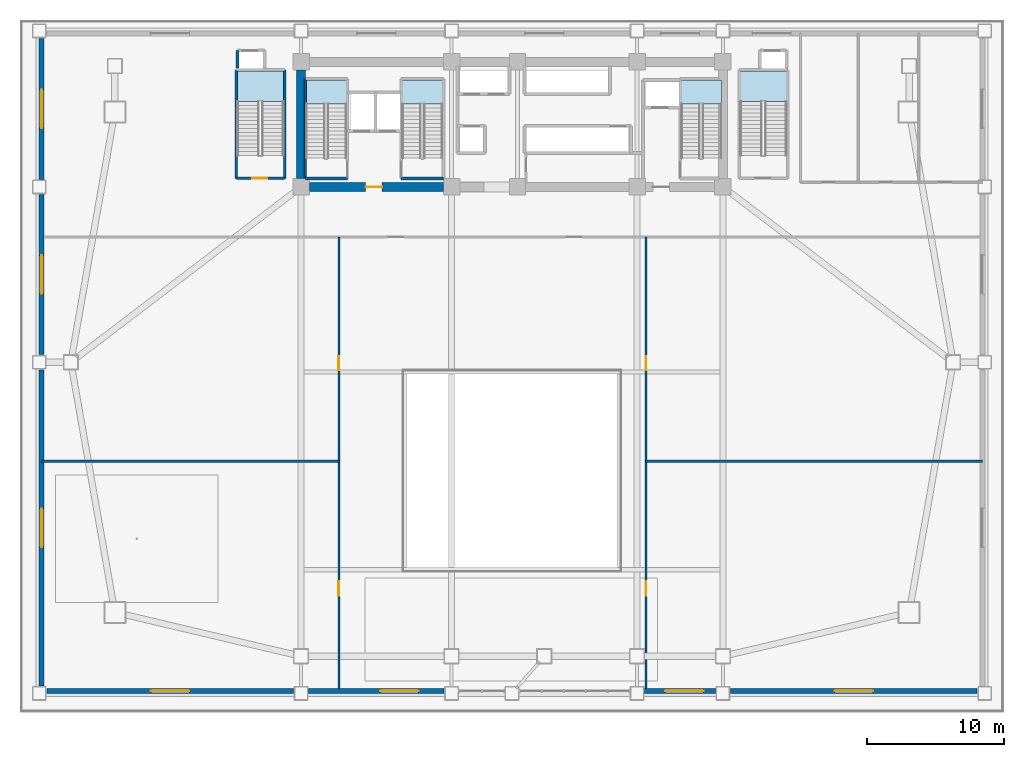
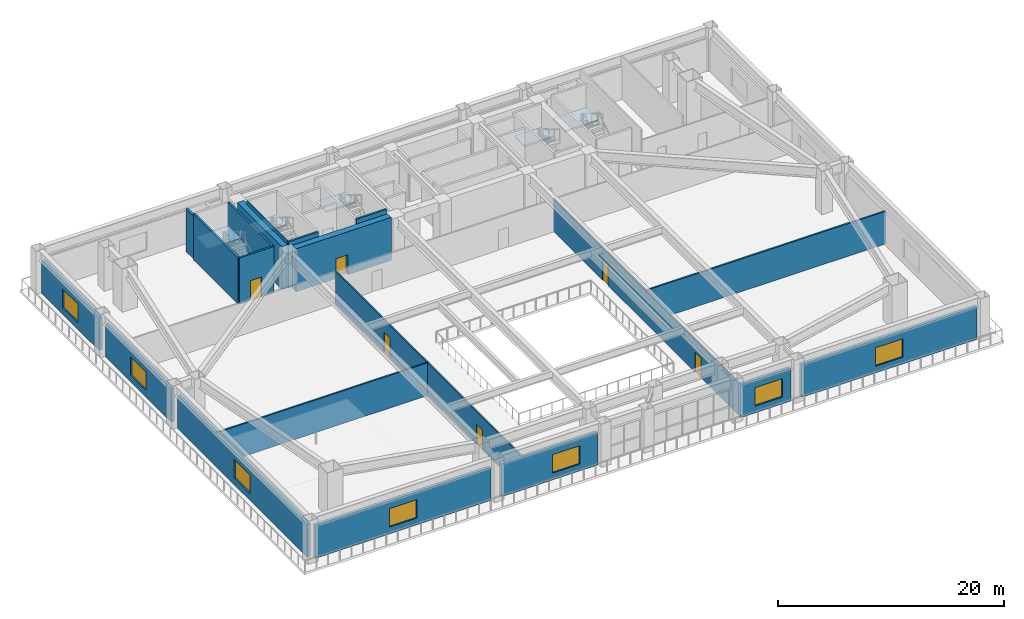
# One storey, part 6 of 14: 20 walls, 7 windows, 6 doors, 5 slabs, 13 openings, 5 elements without a shape of their own.
"""IFC4 building model written with IfcOpenShell, lengths in metres."""

from ifc_helpers import new_model, si_unit, direction, frame, frame_2d, origin, place, context, subcontext, project, spatial, polyline, rectangle, outline, extrude, source, transform, mapped, material, layer, layer_set, type_object, element, fill, aggregate, save


model = new_model("IFC4")

# Units and contexts
model_context = context("Model", 3, precision=1e-05, world=origin(), true_north=direction((0.0, 1.0)))
body_context = subcontext(model_context, "Body", "Model", "MODEL_VIEW")
ifc_project = project(units=[si_unit("LENGTHUNIT", "METRE"), si_unit("AREAUNIT", "SQUARE_METRE"), si_unit("VOLUMEUNIT", "CUBIC_METRE"), si_unit("PLANEANGLEUNIT", "RADIAN"), si_unit("MASSUNIT", "GRAM", prefix="KILO")], contexts=[model_context])

# Site, building, storey
site_placement = place(None, origin())
site = spatial("IfcSite", under=ifc_project, at=site_placement, CompositionType="ELEMENT")
building_placement = place(site_placement, origin())
building = spatial("IfcBuilding", under=site, at=building_placement, Name="Giltprow Tower", CompositionType="ELEMENT")
storey_placement = place(building_placement, frame((0.0, 0.0, 15.199951171875)))
storey = spatial("IfcBuildingStorey", under=building, at=storey_placement, Name="L04", CompositionType="ELEMENT", Elevation=15.199951171875)

# Stair, slab
ifc_material_1 = material(Name="Concrete C40", Category="concrete")
stair_type_1 = type_object("IfcStairType", Name="STR-ST-1", PredefinedType="HALF_TURN_STAIR", material=ifc_material_1)
stair_1_placement = place(storey_placement, origin())
stair_1 = element("IfcStair", 1, at=stair_1_placement, inside=storey, type_object=stair_type_1, Name="L04 Core Exit Stair ST-1", PredefinedType="HALF_TURN_STAIR")
ifc_layer_1 = layer(ifc_material_1, 0.179931640625, Name="Concrete C40")
ifc_layer_set_1 = layer_set([ifc_layer_1], Name="Concrete C40")
slab_type_1 = type_object("IfcSlabType", Name="SLD-ST-1", PredefinedType="LANDING", material=ifc_layer_set_1)
slab_1_placement = place(storey_placement, frame((0.0, 0.0, 2.320068359375)))
slab_1 = element("IfcSlab", 2, at=slab_1_placement, type_object=slab_type_1, Name="ST-1 landing 1", PredefinedType="LANDING", context=body_context, shape_type="SweptSolid", body=[
    extrude(outline(polyline([(23.159912109375, 43.469970703125), (23.159912109375, 45.25), (20.199951171875, 45.25), (20.199951171875, 43.469970703125), (23.159912109375, 43.469970703125)])), origin(), (0.0, 0.0, 1.0), 0.179931640625),
])
aggregate(stair_1, [slab_1])

stair_type_2 = type_object("IfcStairType", Name="STR-ST-2", PredefinedType="HALF_TURN_STAIR", material=ifc_material_1)
stair_2_placement = place(storey_placement, origin())
stair_2 = element("IfcStair", 3, at=stair_2_placement, inside=storey, type_object=stair_type_2, Name="L04 Core Exit Stair ST-2", PredefinedType="HALF_TURN_STAIR")
ifc_layer_2 = layer(ifc_material_1, 0.18798828125, Name="Concrete C40")
ifc_layer_set_2 = layer_set([ifc_layer_2], Name="Concrete C40")
slab_type_2 = type_object("IfcSlabType", Name="SLD-ST-2", PredefinedType="LANDING", material=ifc_layer_set_2)
slab_2_placement = place(storey_placement, frame((0.0, 0.0, 2.31201171875)))
slab_2 = element("IfcSlab", 4, at=slab_2_placement, type_object=slab_type_2, Name="ST-2 landing 1", PredefinedType="LANDING", context=body_context, shape_type="SweptSolid", body=[
    extrude(outline(polyline([(30.159912109375, 43.469970703125), (30.159912109375, 45.25), (27.199951171875, 45.25), (27.199951171875, 43.469970703125), (30.159912109375, 43.469970703125)])), origin(), (0.0, 0.0, 1.0), 0.18798828125),
])
aggregate(stair_2, [slab_2])

stair_type_3 = type_object("IfcStairType", Name="STR-ST-3", PredefinedType="HALF_TURN_STAIR", material=ifc_material_1)
stair_3_placement = place(storey_placement, origin())
stair_3 = element("IfcStair", 5, at=stair_3_placement, inside=storey, type_object=stair_type_3, Name="L04 Core Exit Stair ST-3", PredefinedType="HALF_TURN_STAIR")
ifc_layer_3 = layer(ifc_material_1, 0.196044921875, Name="Concrete C40")
ifc_layer_set_3 = layer_set([ifc_layer_3], Name="Concrete C40")
slab_type_3 = type_object("IfcSlabType", Name="SLD-ST-3", PredefinedType="LANDING", material=ifc_layer_set_3)
slab_3_placement = place(storey_placement, frame((0.0, 0.0, 2.303955078125)))
slab_3 = element("IfcSlab", 6, at=slab_3_placement, type_object=slab_type_3, Name="ST-3 landing 1", PredefinedType="LANDING", context=body_context, shape_type="SweptSolid", body=[
    extrude(outline(polyline([(50.4599609375, 43.469970703125), (50.4599609375, 45.25), (47.5, 45.25), (47.5, 43.469970703125), (50.4599609375, 43.469970703125)])), origin(), (0.0, 0.0, 1.0), 0.196044921875),
])
aggregate(stair_3, [slab_3])

stair_type_4 = type_object("IfcStairType", Name="STR-ST-P1", PredefinedType="HALF_TURN_STAIR", material=ifc_material_1)
stair_4_placement = place(storey_placement, origin())
stair_4 = element("IfcStair", 7, at=stair_4_placement, inside=storey, type_object=stair_type_4, Name="L04 Podium Exit Stair ST-P1", PredefinedType="HALF_TURN_STAIR")
ifc_layer_4 = layer(ifc_material_1, 0.2041015625, Name="Concrete C40")
ifc_layer_set_4 = layer_set([ifc_layer_4], Name="Concrete C40")
slab_type_4 = type_object("IfcSlabType", Name="SLD-ST-P1", PredefinedType="LANDING", material=ifc_layer_set_4)
slab_4_placement = place(storey_placement, frame((0.0, 0.0, 2.296142578125)))
slab_4 = element("IfcSlab", 8, at=slab_4_placement, type_object=slab_type_4, Name="ST-P1 landing 1", PredefinedType="LANDING", context=body_context, shape_type="SweptSolid", body=[
    extrude(outline(polyline([(18.60009765625, 43.669921875), (18.60009765625, 45.89990234375), (15.199951171875, 45.89990234375), (15.199951171875, 43.669921875), (18.60009765625, 43.669921875)])), origin(), (0.0, 0.0, 1.0), 0.203857421875),
])
aggregate(stair_4, [slab_4])

stair_type_5 = type_object("IfcStairType", Name="STR-ST-P2", PredefinedType="HALF_TURN_STAIR", material=ifc_material_1)
stair_5_placement = place(storey_placement, origin())
stair_5 = element("IfcStair", 9, at=stair_5_placement, inside=storey, type_object=stair_type_5, Name="L04 Podium Exit Stair ST-P2", PredefinedType="HALF_TURN_STAIR")
ifc_layer_5 = layer(ifc_material_1, 0.2119140625, Name="Concrete C40")
ifc_layer_set_5 = layer_set([ifc_layer_5], Name="Concrete C40")
slab_type_5 = type_object("IfcSlabType", Name="SLD-ST-P2", PredefinedType="LANDING", material=ifc_layer_set_5)
slab_5_placement = place(storey_placement, frame((0.0, 0.0, 2.2880859375)))
slab_5 = element("IfcSlab", 10, at=slab_5_placement, type_object=slab_type_5, Name="ST-P2 landing 1", PredefinedType="LANDING", context=body_context, shape_type="SweptSolid", body=[
    extrude(outline(polyline([(55.199951171875, 43.669921875), (55.199951171875, 45.89990234375), (51.800048828125, 45.89990234375), (51.800048828125, 43.669921875), (55.199951171875, 43.669921875)])), origin(), (0.0, 0.0, 1.0), 0.2119140625),
])
aggregate(stair_5, [slab_5])

# Wall, opening, window
ifc_material_2 = material(Name="Precast concrete C40", Category="concrete")
ifc_layer_6 = layer(ifc_material_2, 0.360107421875, Name="Precast concrete C40")
ifc_layer_set_6 = layer_set([ifc_layer_6], Name="Precast concrete C40")
wall_type_1 = type_object("IfcWallType", Name="EW-POD-STONE-360", PredefinedType="SOLIDWALL", material=ifc_layer_set_6)
wall_1_placement = place(storey_placement, frame((1.35009765625, 0.780029296875, 0.0), z_axis=(0.0, 0.0, 1.0), x_axis=(1.0, 0.0, 0.0)))
wall_1 = element("IfcWall", 11, at=wall_1_placement, inside=storey, type_object=wall_type_1, Name="L04 South Podium Masonry Wall 1", PredefinedType="SOLIDWALL", context=body_context, shape_type="SweptSolid", body=[
    extrude(rectangle(XDim=17.949951171875, YDim=0.360107421875, at=frame_2d((8.97509765625, 0.0))), origin(), (0.0, 0.0, 1.0), 3.530029296875),
])
opening_1_placement = place(wall_1_placement, frame((7.574951171875, 0.0, 0.719970703125)))
opening_1 = element("IfcOpeningElement", 12, at=opening_1_placement, cuts=wall_1, Name="Opening WN31", PredefinedType="OPENING", context=body_context, shape_type="SweptSolid", body=[
    extrude(rectangle(XDim=2.800048828125, YDim=2.0, at=frame_2d((1.39990234375, 1.0))), frame((0.0, 0.18994140625, 0.0), z_axis=(0.0, -1.0, 0.0), x_axis=(1.0, 0.0, 0.0)), (0.0, 0.0, 1.0), 0.380126953125),
])
ifc_material_3 = material(Name="Insulated glass", Category="glass")
window_type = type_object("IfcWindowType", Name="WN-POD-2800x2000", PartitioningType="SINGLE_PANEL", PredefinedType="WINDOW", material=ifc_material_3)
shared_shape_1 = source(origin(), body_context, "Body", "SweptSolid", [
    extrude(rectangle(XDim=2.800048828125, YDim=2.0, at=frame_2d((1.39990234375, 1.0))), frame((0.0, 0.030029296875, 0.0), z_axis=(0.0, -1.0, 0.0), x_axis=(1.0, 0.0, 0.0)), (0.0, 0.0, 1.0), 0.06005859375),
])
window_1_placement = place(opening_1_placement, origin())
window_1 = element("IfcWindow", 13, at=window_1_placement, inside=storey, type_object=window_type, Name="L04 Podium South Window 1", OverallHeight=2.0, OverallWidth=2.800048828125, PartitioningType="SINGLE_PANEL", PredefinedType="WINDOW", context=body_context, shape_type="MappedRepresentation", body=[
    mapped(shared_shape_1, transform((0.0, 0.0, 0.0), x_axis=(1.0, 0.0, 0.0), y_axis=(0.0, 1.0, 0.0), z_axis=(0.0, 0.0, 1.0), scale=1.0)),
])
fill(opening_1, window_1)

wall_2_placement = place(storey_placement, frame((20.39990234375, 0.780029296875, 0.0), z_axis=(0.0, 0.0, 1.0), x_axis=(1.0, 0.0, 0.0)))
wall_2 = element("IfcWall", 14, at=wall_2_placement, inside=storey, type_object=wall_type_1, Name="L04 South Podium Masonry Wall 2", PredefinedType="SOLIDWALL", context=body_context, shape_type="SweptSolid", body=[
    extrude(rectangle(XDim=9.85009765625, YDim=0.360107421875, at=frame_2d((4.925048828125, 0.0))), origin(), (0.0, 0.0, 1.0), 3.530029296875),
])
opening_2_placement = place(wall_2_placement, frame((5.199951171875, 0.0, 0.719970703125)))
opening_2 = element("IfcOpeningElement", 15, at=opening_2_placement, cuts=wall_2, Name="Opening WN31", PredefinedType="OPENING", context=body_context, shape_type="SweptSolid", body=[
    extrude(rectangle(XDim=2.800048828125, YDim=2.0, at=frame_2d((1.39990234375, 1.0))), frame((0.0, 0.18994140625, 0.0), z_axis=(0.0, -1.0, 0.0), x_axis=(1.0, 0.0, 0.0)), (0.0, 0.0, 1.0), 0.380126953125),
])
window_2_placement = place(opening_2_placement, origin())
window_2 = element("IfcWindow", 16, at=window_2_placement, inside=storey, type_object=window_type, Name="L04 Podium South Window 2", OverallHeight=2.0, OverallWidth=2.800048828125, PartitioningType="SINGLE_PANEL", PredefinedType="WINDOW", context=body_context, shape_type="MappedRepresentation", body=[
    mapped(shared_shape_1, transform((0.0, 0.0, 0.0), x_axis=(1.0, 0.0, 0.0), y_axis=(0.0, 1.0, 0.0), z_axis=(0.0, 0.0, 1.0), scale=1.0)),
])
fill(opening_2, window_2)

wall_3_placement = place(storey_placement, frame((44.85009765625, 0.780029296875, 0.0), z_axis=(0.0, 0.0, 1.0), x_axis=(1.0, 0.0, 0.0)))
wall_3 = element("IfcWall", 17, at=wall_3_placement, inside=storey, type_object=wall_type_1, Name="L04 South Podium Masonry Wall 5", PredefinedType="SOLIDWALL", context=body_context, shape_type="SweptSolid", body=[
    extrude(rectangle(XDim=5.14990234375, YDim=0.360107421875, at=frame_2d((2.574951171875, 0.0))), origin(), (0.0, 0.0, 1.0), 3.530029296875),
])
opening_3_placement = place(wall_3_placement, frame((1.5, 0.0, 0.719970703125)))
opening_3 = element("IfcOpeningElement", 18, at=opening_3_placement, cuts=wall_3, Name="Opening WN31", PredefinedType="OPENING", context=body_context, shape_type="SweptSolid", body=[
    extrude(rectangle(XDim=2.800048828125, YDim=2.0, at=frame_2d((1.39990234375, 1.0))), frame((0.0, 0.18994140625, 0.0), z_axis=(0.0, -1.0, 0.0), x_axis=(1.0, 0.0, 0.0)), (0.0, 0.0, 1.0), 0.380126953125),
])
window_3_placement = place(opening_3_placement, origin())
window_3 = element("IfcWindow", 19, at=window_3_placement, inside=storey, type_object=window_type, Name="L04 Podium South Window 5", OverallHeight=2.0, OverallWidth=2.800048828125, PartitioningType="SINGLE_PANEL", PredefinedType="WINDOW", context=body_context, shape_type="MappedRepresentation", body=[
    mapped(shared_shape_1, transform((0.0, 0.0, 0.0), x_axis=(1.0, 0.0, 0.0), y_axis=(0.0, 1.0, 0.0), z_axis=(0.0, 0.0, 1.0), scale=1.0)),
])
fill(opening_3, window_3)

wall_4_placement = place(storey_placement, frame((51.10009765625, 0.780029296875, 0.0), z_axis=(0.0, 0.0, 1.0), x_axis=(1.0, 0.0, 0.0)))
wall_4 = element("IfcWall", 20, at=wall_4_placement, inside=storey, type_object=wall_type_1, Name="L04 South Podium Masonry Wall 6", PredefinedType="SOLIDWALL", context=body_context, shape_type="SweptSolid", body=[
    extrude(rectangle(XDim=17.949951171875, YDim=0.360107421875, at=frame_2d((8.97509765625, 0.0))), origin(), (0.0, 0.0, 1.0), 3.530029296875),
])
opening_4_placement = place(wall_4_placement, frame((7.574951171875, 0.0, 0.719970703125)))
opening_4 = element("IfcOpeningElement", 21, at=opening_4_placement, cuts=wall_4, Name="Opening WN31", PredefinedType="OPENING", context=body_context, shape_type="SweptSolid", body=[
    extrude(rectangle(XDim=2.800048828125, YDim=2.0, at=frame_2d((1.39990234375, 1.0))), frame((0.0, 0.18994140625, 0.0), z_axis=(0.0, -1.0, 0.0), x_axis=(1.0, 0.0, 0.0)), (0.0, 0.0, 1.0), 0.380126953125),
])
window_4_placement = place(opening_4_placement, origin())
window_4 = element("IfcWindow", 22, at=window_4_placement, inside=storey, type_object=window_type, Name="L04 Podium South Window 6", OverallHeight=2.0, OverallWidth=2.800048828125, PartitioningType="SINGLE_PANEL", PredefinedType="WINDOW", context=body_context, shape_type="MappedRepresentation", body=[
    mapped(shared_shape_1, transform((0.0, 0.0, 0.0), x_axis=(1.0, 0.0, 0.0), y_axis=(0.0, 1.0, 0.0), z_axis=(0.0, 0.0, 1.0), scale=1.0)),
])
fill(opening_4, window_4)

wall_5_placement = place(storey_placement, frame((0.97998046875, 1.14990234375, 0.0), z_axis=(0.0, 0.0, 1.0), x_axis=(0.0, 1.0, 0.0)))
wall_5 = element("IfcWall", 23, at=wall_5_placement, inside=storey, type_object=wall_type_1, Name="L04 W Podium Masonry Wall 1", PredefinedType="SOLIDWALL", context=body_context, shape_type="SweptSolid", body=[
    extrude(rectangle(XDim=23.0, YDim=0.360107421875, at=frame_2d((11.5, 0.0))), origin(), (0.0, 0.0, 1.0), 3.530029296875),
])
opening_5_placement = place(wall_5_placement, frame((10.10009765625, 0.0, 0.719970703125)))
opening_5 = element("IfcOpeningElement", 24, at=opening_5_placement, cuts=wall_5, Name="Opening WN31", PredefinedType="OPENING", context=body_context, shape_type="SweptSolid", body=[
    extrude(rectangle(XDim=2.800048828125, YDim=2.0, at=frame_2d((1.39990234375, 1.0))), frame((0.0, 0.18994140625, 0.0), z_axis=(0.0, -1.0, 0.0), x_axis=(1.0, 0.0, 0.0)), (0.0, 0.0, 1.0), 0.380126953125),
])
window_5_placement = place(opening_5_placement, origin())
window_5 = element("IfcWindow", 25, at=window_5_placement, inside=storey, type_object=window_type, Name="L04 Podium W Window 1", OverallHeight=2.0, OverallWidth=2.800048828125, PartitioningType="SINGLE_PANEL", PredefinedType="WINDOW", context=body_context, shape_type="MappedRepresentation", body=[
    mapped(shared_shape_1, transform((0.0, 0.0, 0.0), x_axis=(1.0, 0.0, 0.0), y_axis=(0.0, 1.0, 0.0), z_axis=(0.0, 0.0, 1.0), scale=1.0)),
])
fill(opening_5, window_5)

wall_6_placement = place(storey_placement, frame((0.97998046875, 25.25, 0.0), z_axis=(0.0, 0.0, 1.0), x_axis=(0.0, 1.0, 0.0)))
wall_6 = element("IfcWall", 26, at=wall_6_placement, inside=storey, type_object=wall_type_1, Name="L04 W Podium Masonry Wall 2", PredefinedType="SOLIDWALL", context=body_context, shape_type="SweptSolid", body=[
    extrude(rectangle(XDim=11.64990234375, YDim=0.360107421875, at=frame_2d((5.824951171875, 0.0))), origin(), (0.0, 0.0, 1.0), 3.530029296875),
])
opening_6_placement = place(wall_6_placement, frame((4.425048828125, 0.0, 0.719970703125)))
opening_6 = element("IfcOpeningElement", 27, at=opening_6_placement, cuts=wall_6, Name="Opening WN31", PredefinedType="OPENING", context=body_context, shape_type="SweptSolid", body=[
    extrude(rectangle(XDim=2.800048828125, YDim=2.0, at=frame_2d((1.39990234375, 1.0))), frame((0.0, 0.18994140625, 0.0), z_axis=(0.0, -1.0, 0.0), x_axis=(1.0, 0.0, 0.0)), (0.0, 0.0, 1.0), 0.380126953125),
])
window_6_placement = place(opening_6_placement, origin())
window_6 = element("IfcWindow", 28, at=window_6_placement, inside=storey, type_object=window_type, Name="L04 Podium W Window 2", OverallHeight=2.0, OverallWidth=2.800048828125, PartitioningType="SINGLE_PANEL", PredefinedType="WINDOW", context=body_context, shape_type="MappedRepresentation", body=[
    mapped(shared_shape_1, transform((0.0, 0.0, 0.0), x_axis=(1.0, 0.0, 0.0), y_axis=(0.0, 1.0, 0.0), z_axis=(0.0, 0.0, 1.0), scale=1.0)),
])
fill(opening_6, window_6)

wall_7_placement = place(storey_placement, frame((0.97998046875, 38.0, 0.0), z_axis=(0.0, 0.0, 1.0), x_axis=(0.0, 1.0, 0.0)))
wall_7 = element("IfcWall", 29, at=wall_7_placement, inside=storey, type_object=wall_type_1, Name="L04 W Podium Masonry Wall 3", PredefinedType="SOLIDWALL", context=body_context, shape_type="SweptSolid", body=[
    extrude(rectangle(XDim=10.25, YDim=0.360107421875, at=frame_2d((5.125, 0.0))), origin(), (0.0, 0.0, 1.0), 3.530029296875),
])
opening_7_placement = place(wall_7_placement, frame((3.72509765625, 0.0, 0.719970703125)))
opening_7 = element("IfcOpeningElement", 30, at=opening_7_placement, cuts=wall_7, Name="Opening WN31", PredefinedType="OPENING", context=body_context, shape_type="SweptSolid", body=[
    extrude(rectangle(XDim=2.800048828125, YDim=2.0, at=frame_2d((1.39990234375, 1.0))), frame((0.0, 0.18994140625, 0.0), z_axis=(0.0, -1.0, 0.0), x_axis=(1.0, 0.0, 0.0)), (0.0, 0.0, 1.0), 0.380126953125),
])
window_7_placement = place(opening_7_placement, origin())
window_7 = element("IfcWindow", 31, at=window_7_placement, inside=storey, type_object=window_type, Name="L04 Podium W Window 3", OverallHeight=2.0, OverallWidth=2.800048828125, PartitioningType="SINGLE_PANEL", PredefinedType="WINDOW", context=body_context, shape_type="MappedRepresentation", body=[
    mapped(shared_shape_1, transform((0.0, 0.0, 0.0), x_axis=(1.0, 0.0, 0.0), y_axis=(0.0, 1.0, 0.0), z_axis=(0.0, 0.0, 1.0), scale=1.0)),
])
fill(opening_7, window_7)

# Wall, openings, doors
ifc_material_4 = material(Name="Gypsum stud partition", Category="gypsum")
ifc_layer_7 = layer(ifc_material_4, 0.14990234375, Name="Gypsum stud partition")
ifc_layer_set_7 = layer_set([ifc_layer_7], Name="Gypsum stud partition")
wall_type_2 = type_object("IfcWallType", Name="IW-CORR-150", PredefinedType="PARTITIONING", material=ifc_layer_set_7)
wall_8_placement = place(storey_placement, frame((22.60009765625, 0.780029296875, 0.0), z_axis=(0.0, 0.0, 1.0), x_axis=(0.0, 1.0, 0.0)))
wall_8 = element("IfcWall", 32, at=wall_8_placement, inside=storey, type_object=wall_type_2, Name="L04 West Concourse Demising Wall", PredefinedType="PARTITIONING", context=body_context, shape_type="SweptSolid", body=[
    extrude(rectangle(XDim=33.02001953125, YDim=0.14990234375, at=frame_2d((16.510009765625, 0.0))), origin(), (0.0, 0.0, 1.0), 3.53515625),
])
opening_8_placement = place(wall_8_placement, frame((6.919921875, 0.0, 0.0)))
opening_8 = element("IfcOpeningElement", 33, at=opening_8_placement, cuts=wall_8, Name="Opening ID31", PredefinedType="OPENING", context=body_context, shape_type="SweptSolid", body=[
    extrude(rectangle(XDim=1.050048828125, YDim=2.14990234375, at=frame_2d((0.52490234375, 1.074951171875))), frame((0.0, 0.0849609375, 0.0), z_axis=(0.0, -1.0, 0.0), x_axis=(1.0, 0.0, 0.0)), (0.0, 0.0, 1.0), 0.169921875),
])
opening_9_placement = place(wall_8_placement, frame((23.320068359375, 0.0, 0.0)))
opening_9 = element("IfcOpeningElement", 34, at=opening_9_placement, cuts=wall_8, Name="Opening ID31", PredefinedType="OPENING", context=body_context, shape_type="SweptSolid", body=[
    extrude(rectangle(XDim=1.050048828125, YDim=2.14990234375, at=frame_2d((0.52490234375, 1.074951171875))), frame((0.0, 0.0849609375, 0.0), z_axis=(0.0, -1.0, 0.0), x_axis=(1.0, 0.0, 0.0)), (0.0, 0.0, 1.0), 0.169921875),
])
ifc_material_5 = material(Name="Engineered timber", Category="wood")
door_type_1 = type_object("IfcDoorType", Name="DR-SUITE-1050", OperationType="SINGLE_SWING_LEFT", PredefinedType="DOOR", material=ifc_material_5)
shared_shape_2 = source(origin(), body_context, "Body", "SweptSolid", [
    extrude(rectangle(XDim=1.050048828125, YDim=2.14990234375, at=frame_2d((0.52490234375, 1.074951171875))), frame((0.0, 0.02490234375, 0.0), z_axis=(0.0, -1.0, 0.0), x_axis=(1.0, 0.0, 0.0)), (0.0, 0.0, 1.0), 0.050048828125),
])
door_1_placement = place(opening_8_placement, origin())
door_1 = element("IfcDoor", 35, at=door_1_placement, inside=storey, type_object=door_type_1, Name="L04 Grand Harbourfront Banquet Ballroom Door", OperationType="SINGLE_SWING_RIGHT", OverallHeight=2.14990234375, OverallWidth=1.050048828125, PredefinedType="DOOR", context=body_context, shape_type="MappedRepresentation", body=[
    mapped(shared_shape_2, transform((0.0, 0.0, 0.0), x_axis=(1.0, 0.0, 0.0), y_axis=(0.0, 1.0, 0.0), z_axis=(0.0, 0.0, 1.0), scale=1.0)),
])
fill(opening_8, door_1)
door_2_placement = place(opening_9_placement, origin())
door_2 = element("IfcDoor", 36, at=door_2_placement, inside=storey, type_object=door_type_1, Name="L04 Pre-Function VIP Reception Salon Door", OperationType="SINGLE_SWING_LEFT", OverallHeight=2.14990234375, OverallWidth=1.050048828125, PredefinedType="DOOR", context=body_context, shape_type="MappedRepresentation", body=[
    mapped(shared_shape_2, transform((0.0, 0.0, 0.0), x_axis=(1.0, 0.0, 0.0), y_axis=(0.0, 1.0, 0.0), z_axis=(0.0, 0.0, 1.0), scale=1.0)),
])
fill(opening_9, door_2)

wall_9_placement = place(storey_placement, frame((44.949951171875, 0.780029296875, 0.0), z_axis=(0.0, 0.0, 1.0), x_axis=(0.0, 1.0, 0.0)))
wall_9 = element("IfcWall", 37, at=wall_9_placement, inside=storey, type_object=wall_type_2, Name="L04 East Concourse Demising Wall", PredefinedType="PARTITIONING", context=body_context, shape_type="SweptSolid", body=[
    extrude(rectangle(XDim=33.02001953125, YDim=0.14990234375, at=frame_2d((16.510009765625, 0.0))), origin(), (0.0, 0.0, 1.0), 3.53515625),
])
opening_10_placement = place(wall_9_placement, frame((6.919921875, 0.0, 0.0)))
opening_10 = element("IfcOpeningElement", 38, at=opening_10_placement, cuts=wall_9, Name="Opening ID31", PredefinedType="OPENING", context=body_context, shape_type="SweptSolid", body=[
    extrude(rectangle(XDim=1.050048828125, YDim=2.14990234375, at=frame_2d((0.52490234375, 1.074951171875))), frame((0.0, 0.0849609375, 0.0), z_axis=(0.0, -1.0, 0.0), x_axis=(1.0, 0.0, 0.0)), (0.0, 0.0, 1.0), 0.169921875),
])
opening_11_placement = place(wall_9_placement, frame((23.320068359375, 0.0, 0.0)))
opening_11 = element("IfcOpeningElement", 39, at=opening_11_placement, cuts=wall_9, Name="Opening ID31", PredefinedType="OPENING", context=body_context, shape_type="SweptSolid", body=[
    extrude(rectangle(XDim=1.050048828125, YDim=2.14990234375, at=frame_2d((0.52490234375, 1.074951171875))), frame((0.0, 0.0849609375, 0.0), z_axis=(0.0, -1.0, 0.0), x_axis=(1.0, 0.0, 0.0)), (0.0, 0.0, 1.0), 0.169921875),
])
door_3_placement = place(opening_10_placement, origin())
door_3 = element("IfcDoor", 40, at=door_3_placement, inside=storey, type_object=door_type_1, Name="L04 Waterfront Wellness Spa and Fitness Club Door", OperationType="SINGLE_SWING_RIGHT", OverallHeight=2.14990234375, OverallWidth=1.050048828125, PredefinedType="DOOR", context=body_context, shape_type="MappedRepresentation", body=[
    mapped(shared_shape_2, transform((0.0, 0.0, 0.0), x_axis=(1.0, 0.0, 0.0), y_axis=(0.0, 1.0, 0.0), z_axis=(0.0, 0.0, 1.0), scale=1.0)),
])
fill(opening_10, door_3)
door_4_placement = place(opening_11_placement, origin())
door_4 = element("IfcDoor", 41, at=door_4_placement, inside=storey, type_object=door_type_1, Name="L04 Indoor Lap Pool and Changing Pavilion Door", OperationType="SINGLE_SWING_LEFT", OverallHeight=2.14990234375, OverallWidth=1.050048828125, PredefinedType="DOOR", context=body_context, shape_type="MappedRepresentation", body=[
    mapped(shared_shape_2, transform((0.0, 0.0, 0.0), x_axis=(1.0, 0.0, 0.0), y_axis=(0.0, 1.0, 0.0), z_axis=(0.0, 0.0, 1.0), scale=1.0)),
])
fill(opening_11, door_4)

# Walls
ifc_layer_8 = layer(ifc_material_4, 0.159912109375, Name="Gypsum stud partition")
ifc_layer_set_8 = layer_set([ifc_layer_8], Name="Gypsum stud partition")
wall_type_3 = type_object("IfcWallType", Name="IW-DEMISE-160", PredefinedType="PARTITIONING", material=ifc_layer_set_8)
wall_10_placement = place(storey_placement, frame((0.97998046875, 17.5, 0.0), z_axis=(0.0, 0.0, 1.0), x_axis=(1.0, 0.0, 0.0)))
element("IfcWall", 42, at=wall_10_placement, inside=storey, type_object=wall_type_3, Name="L04 West Podium Hall Divider", PredefinedType="PARTITIONING", context=body_context, shape_type="SweptSolid", body=[
    extrude(rectangle(XDim=21.6201171875, YDim=0.159912109375, at=frame_2d((10.81005859375, 0.0))), origin(), (0.0, 0.0, 1.0), 3.53515625),
])
wall_11_placement = place(storey_placement, frame((44.949951171875, 17.5, 0.0), z_axis=(0.0, 0.0, 1.0), x_axis=(1.0, 0.0, 0.0)))
element("IfcWall", 43, at=wall_11_placement, inside=storey, type_object=wall_type_3, Name="L04 East Podium Hall Divider", PredefinedType="PARTITIONING", context=body_context, shape_type="SweptSolid", body=[
    extrude(rectangle(XDim=24.469970703125, YDim=0.159912109375, at=frame_2d((12.23486328125, 0.0))), origin(), (0.0, 0.0, 1.0), 3.53515625),
])
ifc_layer_9 = layer(ifc_material_1, 0.219970703125, Name="Concrete C40")
ifc_layer_set_9 = layer_set([ifc_layer_9], Name="Concrete C40")
wall_type_4 = type_object("IfcWallType", Name="IW-SHAFT-220", PredefinedType="SOLIDWALL", material=ifc_layer_set_9)
wall_12_placement = place(storey_placement, frame((15.22998046875, 46.090087890625, 0.0), z_axis=(0.0, 0.0, 1.0), x_axis=(0.0, 1.0, 0.0)))
element("IfcWall", 44, at=wall_12_placement, inside=storey, type_object=wall_type_4, Name="L04 PL-P1 West Shaft Wall", PredefinedType="SOLIDWALL", context=body_context, shape_type="SweptSolid", body=[
    extrude(rectangle(XDim=1.289794921875, YDim=0.219970703125, at=frame_2d((0.64501953125, 0.0))), origin(), (0.0, 0.0, 1.0), 4.650146484375),
])
ifc_material_6 = material(Name="Concrete C45", Category="concrete")
ifc_layer_10 = layer(ifc_material_6, 0.139892578125, Name="Concrete C45")
ifc_layer_set_10 = layer_set([ifc_layer_10], Name="Concrete C45")
wall_type_5 = type_object("IfcWallType", Name="IW-STAIR-140", PredefinedType="SOLIDWALL", material=ifc_layer_set_10)
wall_13_placement = place(storey_placement, frame((20.169921875, 38.070068359375, 0.0), z_axis=(0.0, 0.0, 1.0), x_axis=(0.0, 1.0, 0.0)))
element("IfcWall", 45, at=wall_13_placement, inside=storey, type_object=wall_type_5, Name="L04 Stair ST-1 West Bearing Wall", PredefinedType="SOLIDWALL", context=body_context, shape_type="SweptSolid", body=[
    extrude(rectangle(XDim=7.25, YDim=0.139892578125, at=frame_2d((3.625, 0.0))), origin(), (0.0, 0.0, 1.0), 5.0),
])
ifc_layer_11 = layer(ifc_material_1, 0.199951171875, Name="Concrete C40")
ifc_layer_set_11 = layer_set([ifc_layer_11], Name="Concrete C40")
wall_type_6 = type_object("IfcWallType", Name="IW-STAIR-200", PredefinedType="SOLIDWALL", material=ifc_layer_set_11)
wall_14_placement = place(storey_placement, frame((20.169921875, 38.070068359375, 0.0), z_axis=(0.0, 0.0, 1.0), x_axis=(1.0, 0.0, 0.0)))
element("IfcWall", 46, at=wall_14_placement, inside=storey, type_object=wall_type_6, Name="L04 Stair ST-1 South Bearing Wall", PredefinedType="SOLIDWALL", context=body_context, shape_type="SweptSolid", body=[
    extrude(rectangle(XDim=3.050048828125, YDim=0.199951171875, at=frame_2d((1.52490234375, 0.0))), origin(), (0.0, 0.0, 1.0), 5.0),
])
wall_15_placement = place(storey_placement, frame((27.139892578125, 38.070068359375, 0.0), z_axis=(0.0, 0.0, 1.0), x_axis=(1.0, 0.0, 0.0)))
element("IfcWall", 47, at=wall_15_placement, inside=storey, type_object=wall_type_6, Name="L04 Stair ST-2 South Bearing Wall", PredefinedType="SOLIDWALL", context=body_context, shape_type="SweptSolid", body=[
    extrude(rectangle(XDim=3.080078125, YDim=0.199951171875, at=frame_2d((1.5400390625, 0.0))), origin(), (0.0, 0.0, 1.0), 5.0),
])
for number, where, z_axis, x_axis, name in (
    (48, (15.139892578125, 38.080078125, 0.0), (0.0, 0.0, 1.0), (0.0, 1.0, 0.0), "L04 Podium Stair ST-P1 West Bearing Wall"),
    (49, (18.659912109375, 38.080078125, 0.0), (0.0, 0.0, 1.0), (0.0, 1.0, 0.0), "L04 Podium Stair ST-P1 East Bearing Wall"),
):
    element("IfcWall", number, at=place(storey_placement, frame(where, z_axis=z_axis, x_axis=x_axis)), inside=storey, type_object=wall_type_6, Name=name, PredefinedType="SOLIDWALL", context=body_context, shape_type="SweptSolid", body=[
        extrude(rectangle(XDim=7.89990234375, YDim=0.199951171875, at=frame_2d((3.949951171875, 0.0))), origin(), (0.0, 0.0, 1.0), 5.0),
    ])

# Wall, opening, door
wall_16_placement = place(storey_placement, frame((15.139892578125, 38.080078125, 0.0), z_axis=(0.0, 0.0, 1.0), x_axis=(1.0, 0.0, 0.0)))
wall_16 = element("IfcWall", 50, at=wall_16_placement, inside=storey, type_object=wall_type_6, Name="L04 Podium Stair ST-P1 South Bearing Wall", PredefinedType="SOLIDWALL", context=body_context, shape_type="SweptSolid", body=[
    extrude(rectangle(XDim=3.52001953125, YDim=0.199951171875, at=frame_2d((1.760009765625, 0.0))), origin(), (0.0, 0.0, 1.0), 5.0),
])
opening_12_placement = place(wall_16_placement, frame((1.14990234375, 0.0, 0.0)))
opening_12 = element("IfcOpeningElement", 51, at=opening_12_placement, cuts=wall_16, Name="Opening ID33", PredefinedType="OPENING", context=body_context, shape_type="SweptSolid", body=[
    extrude(rectangle(XDim=1.10009765625, YDim=2.14990234375, at=frame_2d((0.550048828125, 1.074951171875))), frame((0.0, 0.10986328125, 0.0), z_axis=(0.0, -1.0, 0.0), x_axis=(1.0, 0.0, 0.0)), (0.0, 0.0, 1.0), 0.219970703125),
])
ifc_material_7 = material(Name="Steel fire leaf", Category="steel")
door_type_2 = type_object("IfcDoorType", Name="DR-STAIR-1100", OperationType="SINGLE_SWING_LEFT", PredefinedType="DOOR", material=ifc_material_7)
shared_shape_3 = source(origin(), body_context, "Body", "SweptSolid", [
    extrude(rectangle(XDim=1.10009765625, YDim=2.14990234375, at=frame_2d((0.550048828125, 1.074951171875))), frame((0.0, 0.02490234375, 0.0), z_axis=(0.0, -1.0, 0.0), x_axis=(1.0, 0.0, 0.0)), (0.0, 0.0, 1.0), 0.050048828125),
])
door_5_placement = place(opening_12_placement, origin())
door_5 = element("IfcDoor", 52, at=door_5_placement, inside=storey, type_object=door_type_2, Name="L04 Podium Stair ST-P1 Door", OperationType="SINGLE_SWING_LEFT", OverallHeight=2.14990234375, OverallWidth=1.10009765625, PredefinedType="DOOR", context=body_context, shape_type="MappedRepresentation", body=[
    mapped(shared_shape_3, transform((0.0, 0.0, 0.0), x_axis=(1.0, 0.0, 0.0), y_axis=(0.0, 1.0, 0.0), z_axis=(0.0, 0.0, 1.0), scale=1.0)),
])
fill(opening_12, door_5)

ifc_material_8 = material(Name="Concrete C60", Category="concrete")
ifc_layer_12 = layer(ifc_material_8, 0.64990234375, Name="Concrete C60")
ifc_layer_set_12 = layer_set([ifc_layer_12], Name="Concrete C60")
wall_type_7 = type_object("IfcWallType", Name="SW-INT-650-C60", PredefinedType="SHEAR", material=ifc_layer_set_12)
wall_17_placement = place(storey_placement, frame((20.449951171875, 37.449951171875, 0.0), z_axis=(0.0, 0.0, 1.0), x_axis=(1.0, 0.0, 0.0)))
wall_17 = element("IfcWall", 53, at=wall_17_placement, inside=storey, type_object=wall_type_7, Name="L04 South Rear Core Shear Wall West", PredefinedType="SHEAR", context=body_context, shape_type="SweptSolid", body=[
    extrude(rectangle(XDim=9.75, YDim=0.64990234375, at=frame_2d((4.875, 0.0))), origin(), (0.0, 0.0, 1.0), 4.650146484375),
])
opening_13_placement = place(wall_17_placement, frame((4.10009765625, 0.0, 0.0)))
opening_13 = element("IfcOpeningElement", 54, at=opening_13_placement, cuts=wall_17, Name="Opening ID19", PredefinedType="OPENING", context=body_context, shape_type="SweptSolid", body=[
    extrude(rectangle(XDim=1.199951171875, YDim=2.14990234375, at=frame_2d((0.60009765625, 1.074951171875))), frame((0.0, 0.3349609375, 0.0), z_axis=(0.0, -1.0, 0.0), x_axis=(1.0, 0.0, 0.0)), (0.0, 0.0, 1.0), 0.669921875),
])
door_type_3 = type_object("IfcDoorType", Name="DR-FFLOBBY-1200", OperationType="SINGLE_SWING_RIGHT", PredefinedType="DOOR", material=ifc_material_7)
shared_shape_4 = source(origin(), body_context, "Body", "SweptSolid", [
    extrude(rectangle(XDim=1.199951171875, YDim=2.14990234375, at=frame_2d((0.60009765625, 1.074951171875))), frame((0.0, 0.02490234375, 0.0), z_axis=(0.0, -1.0, 0.0), x_axis=(1.0, 0.0, 0.0)), (0.0, 0.0, 1.0), 0.050048828125),
])
door_6_placement = place(opening_13_placement, origin())
door_6 = element("IfcDoor", 55, at=door_6_placement, inside=storey, type_object=door_type_3, Name="L04 West Firefighting Lobby Entry Door", OperationType="SINGLE_SWING_LEFT", OverallHeight=2.14990234375, OverallWidth=1.199951171875, PredefinedType="DOOR", context=body_context, shape_type="MappedRepresentation", body=[
    mapped(shared_shape_4, transform((0.0, 0.0, 0.0), x_axis=(1.0, 0.0, 0.0), y_axis=(0.0, 1.0, 0.0), z_axis=(0.0, 0.0, 1.0), scale=1.0)),
])
fill(opening_13, door_6)

# Wall
wall_18_placement = place(storey_placement, frame((19.85009765625, 38.050048828125, 0.0), z_axis=(0.0, 0.0, 1.0), x_axis=(0.0, 1.0, 0.0)))
element("IfcWall", 56, at=wall_18_placement, inside=storey, type_object=wall_type_7, Name="L04 W Rear Core Shear Wall", PredefinedType="SHEAR", context=body_context, shape_type="SweptSolid", body=[
    extrude(rectangle(XDim=7.89990234375, YDim=0.64990234375, at=frame_2d((3.949951171875, 0.0))), origin(), (0.0, 0.0, 1.0), 4.650146484375),
])

save(model, "model.ifc")
